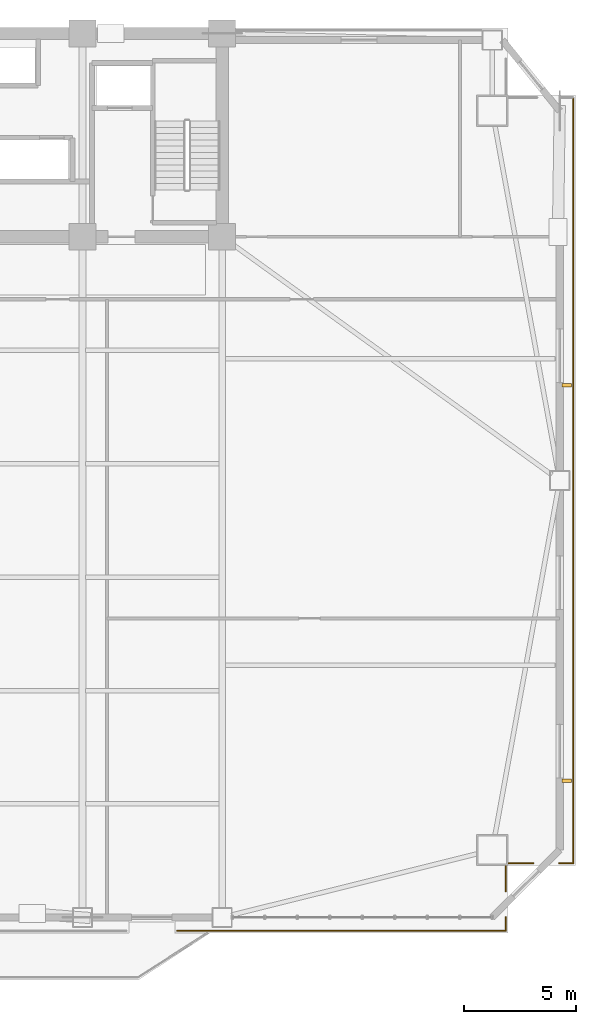
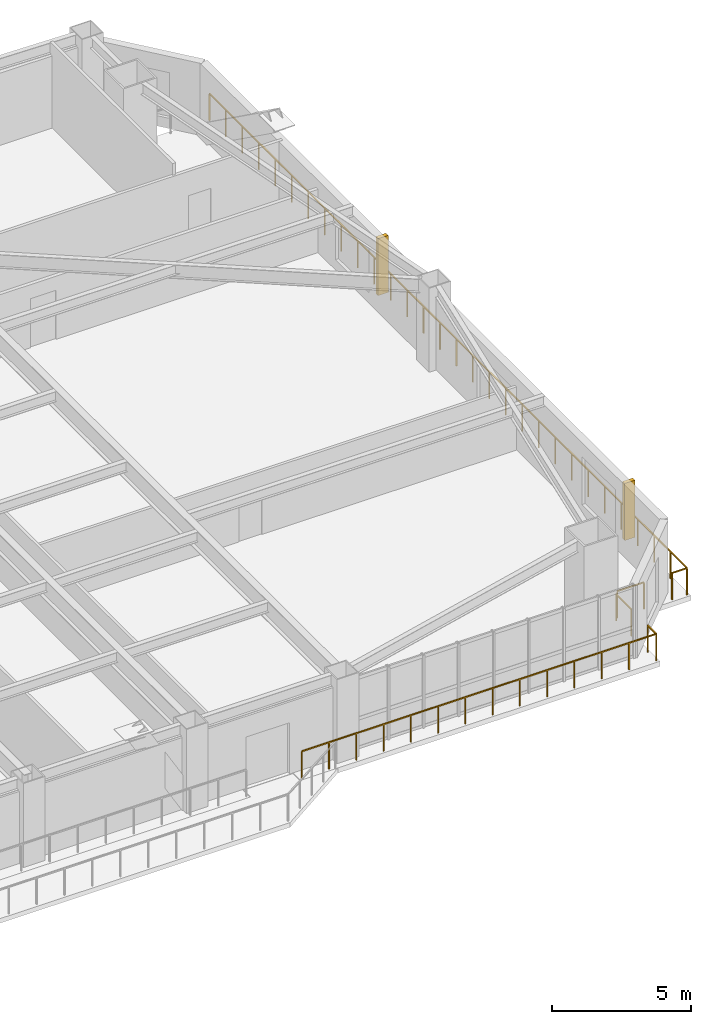
# One storey, part 13 of 15: 6 railings, 2 shading devices.
"""IFC4 building model written with IfcOpenShell, lengths in metres."""

from ifc_helpers import new_model, si_unit, direction, frame, origin, origin_2d, place, context, subcontext, project, spatial, rectangle, extrude, source, transform, mapped, material, type_object, element, save


model = new_model("IFC4")

# Units and contexts
model_context = context("Model", 3, precision=1e-05, world=origin(), true_north=direction((0.0, 1.0)))
body_context = subcontext(model_context, "Body", "Model", "MODEL_VIEW")
ifc_project = project(units=[si_unit("LENGTHUNIT", "METRE"), si_unit("AREAUNIT", "SQUARE_METRE"), si_unit("VOLUMEUNIT", "CUBIC_METRE"), si_unit("PLANEANGLEUNIT", "RADIAN"), si_unit("MASSUNIT", "GRAM", prefix="KILO")], contexts=[model_context])

# Site, building, storey
site_placement = place(None, origin())
site = spatial("IfcSite", under=ifc_project, at=site_placement, CompositionType="ELEMENT")
building_placement = place(site_placement, origin())
building = spatial("IfcBuilding", under=site, at=building_placement, Name="Giltprow Tower", CompositionType="ELEMENT")
storey_placement = place(building_placement, frame((0.0, 0.0, 111.39990234375)))
storey = spatial("IfcBuildingStorey", under=building, at=storey_placement, Name="L27", CompositionType="ELEMENT", Elevation=111.39990234375)

# Railings
ifc_material = material(Name="Anodized bronze", Category="metal")
railing_type = type_object("IfcRailingType", Name="RAIL-BALC-GUARD-1200", PredefinedType="BALUSTRADE", material=ifc_material)
railing_1_placement = place(storey_placement, frame((66.256103515625, 43.68310546875, 0.0)))
element("IfcRailing", 1, at=railing_1_placement, inside=storey, type_object=railing_type, Name="L27 Corner Apron Edge Balustrade 14", PredefinedType="BALUSTRADE", context=body_context, shape_type="SweptSolid", body=[
    extrude(rectangle(XDim=0.048095703125, YDim=0.048095703125, at=origin_2d()), frame((0.0, 0.0, 1.17578125), z_axis=(0.0, -1.0, 0.0), x_axis=(1.0, 0.0, 0.0)), (0.0, 0.0, 1.0), 34.276123046875),
    extrude(rectangle(XDim=0.0419921875, YDim=0.0419921875, at=origin_2d()), origin(), (0.0, 0.0, 1.0), 1.15185546875),
    extrude(rectangle(XDim=0.0419921875, YDim=0.0419921875, at=origin_2d()), frame((0.0, -1.181884765625, 0.0)), (0.0, 0.0, 1.0), 1.15185546875),
    extrude(rectangle(XDim=0.0419921875, YDim=0.0419921875, at=origin_2d()), frame((0.0, -2.36376953125, 0.0)), (0.0, 0.0, 1.0), 1.15185546875),
    extrude(rectangle(XDim=0.0419921875, YDim=0.0419921875, at=origin_2d()), frame((0.0, -3.5458984375, 0.0)), (0.0, 0.0, 1.0), 1.15185546875),
    extrude(rectangle(XDim=0.0419921875, YDim=0.0419921875, at=origin_2d()), frame((0.0, -4.727783203125, 0.0)), (0.0, 0.0, 1.0), 1.15185546875),
    extrude(rectangle(XDim=0.0419921875, YDim=0.0419921875, at=origin_2d()), frame((0.0, -5.90966796875, 0.0)), (0.0, 0.0, 1.0), 1.15185546875),
    extrude(rectangle(XDim=0.0419921875, YDim=0.0419921875, at=origin_2d()), frame((0.0, -7.091552734375, 0.0)), (0.0, 0.0, 1.0), 1.15185546875),
    extrude(rectangle(XDim=0.0419921875, YDim=0.0419921875, at=origin_2d()), frame((0.0, -8.2734375, 0.0)), (0.0, 0.0, 1.0), 1.15185546875),
    extrude(rectangle(XDim=0.0419921875, YDim=0.0419921875, at=origin_2d()), frame((0.0, -9.45556640625, 0.0)), (0.0, 0.0, 1.0), 1.15185546875),
    extrude(rectangle(XDim=0.0419921875, YDim=0.0419921875, at=origin_2d()), frame((0.0, -10.637451171875, 0.0)), (0.0, 0.0, 1.0), 1.15185546875),
    extrude(rectangle(XDim=0.0419921875, YDim=0.0419921875, at=origin_2d()), frame((0.0, -11.8193359375, 0.0)), (0.0, 0.0, 1.0), 1.15185546875),
    extrude(rectangle(XDim=0.0419921875, YDim=0.0419921875, at=origin_2d()), frame((0.0, -13.001220703125, 0.0)), (0.0, 0.0, 1.0), 1.15185546875),
    extrude(rectangle(XDim=0.0419921875, YDim=0.0419921875, at=origin_2d()), frame((0.0, -14.18310546875, 0.0)), (0.0, 0.0, 1.0), 1.15185546875),
    extrude(rectangle(XDim=0.0419921875, YDim=0.0419921875, at=origin_2d()), frame((0.0, -15.365234375, 0.0)), (0.0, 0.0, 1.0), 1.15185546875),
    extrude(rectangle(XDim=0.0419921875, YDim=0.0419921875, at=origin_2d()), frame((0.0, -16.547119140625, 0.0)), (0.0, 0.0, 1.0), 1.15185546875),
    extrude(rectangle(XDim=0.0419921875, YDim=0.0419921875, at=origin_2d()), frame((0.0, -17.72900390625, 0.0)), (0.0, 0.0, 1.0), 1.15185546875),
    extrude(rectangle(XDim=0.0419921875, YDim=0.0419921875, at=origin_2d()), frame((0.0, -18.910888671875, 0.0)), (0.0, 0.0, 1.0), 1.15185546875),
    extrude(rectangle(XDim=0.0419921875, YDim=0.0419921875, at=origin_2d()), frame((0.0, -20.093017578125, 0.0)), (0.0, 0.0, 1.0), 1.15185546875),
    extrude(rectangle(XDim=0.0419921875, YDim=0.0419921875, at=origin_2d()), frame((0.0, -21.27490234375, 0.0)), (0.0, 0.0, 1.0), 1.15185546875),
    extrude(rectangle(XDim=0.0419921875, YDim=0.0419921875, at=origin_2d()), frame((0.0, -22.456787109375, 0.0)), (0.0, 0.0, 1.0), 1.15185546875),
    extrude(rectangle(XDim=0.0419921875, YDim=0.0419921875, at=origin_2d()), frame((0.0, -23.638671875, 0.0)), (0.0, 0.0, 1.0), 1.15185546875),
    extrude(rectangle(XDim=0.0419921875, YDim=0.0419921875, at=origin_2d()), frame((0.0, -24.820556640625, 0.0)), (0.0, 0.0, 1.0), 1.15185546875),
    extrude(rectangle(XDim=0.0419921875, YDim=0.0419921875, at=origin_2d()), frame((0.0, -26.002685546875, 0.0)), (0.0, 0.0, 1.0), 1.15185546875),
    extrude(rectangle(XDim=0.0419921875, YDim=0.0419921875, at=origin_2d()), frame((0.0, -27.1845703125, 0.0)), (0.0, 0.0, 1.0), 1.15185546875),
    extrude(rectangle(XDim=0.0419921875, YDim=0.0419921875, at=origin_2d()), frame((0.0, -28.366455078125, 0.0)), (0.0, 0.0, 1.0), 1.15185546875),
    extrude(rectangle(XDim=0.0419921875, YDim=0.0419921875, at=origin_2d()), frame((0.0, -29.54833984375, 0.0)), (0.0, 0.0, 1.0), 1.15185546875),
    extrude(rectangle(XDim=0.0419921875, YDim=0.0419921875, at=origin_2d()), frame((0.0, -30.730224609375, 0.0)), (0.0, 0.0, 1.0), 1.15185546875),
    extrude(rectangle(XDim=0.0419921875, YDim=0.0419921875, at=origin_2d()), frame((0.0, -31.912353515625, 0.0)), (0.0, 0.0, 1.0), 1.15185546875),
    extrude(rectangle(XDim=0.0419921875, YDim=0.0419921875, at=origin_2d()), frame((0.0, -33.09423828125, 0.0)), (0.0, 0.0, 1.0), 1.15185546875),
    extrude(rectangle(XDim=0.0419921875, YDim=0.0419921875, at=origin_2d()), frame((0.0, -34.276123046875, 0.0)), (0.0, 0.0, 1.0), 1.15185546875),
])
railing_2_placement = place(storey_placement, frame((66.256103515625, 9.406982421875, 0.0)))
element("IfcRailing", 2, at=railing_2_placement, inside=storey, type_object=railing_type, Name="L27 Corner Apron Edge Balustrade 15", PredefinedType="BALUSTRADE", context=body_context, shape_type="SweptSolid", body=[
    extrude(rectangle(XDim=0.048095703125, YDim=0.048095703125, at=origin_2d()), frame((0.0, 0.0, 1.17578125), z_axis=(-1.0, 0.0, 0.0), x_axis=(0.0, -1.0, 0.0)), (0.0, 0.0, 1.0), 0.6201171875),
    extrude(rectangle(XDim=0.0419921875, YDim=0.0419921875, at=origin_2d()), origin(), (0.0, 0.0, 1.0), 1.15185546875),
    extrude(rectangle(XDim=0.0419921875, YDim=0.0419921875, at=origin_2d()), frame((-0.6201171875, 0.0, 0.0)), (0.0, 0.0, 1.0), 1.15185546875),
])
railing_3_placement = place(storey_placement, frame((64.47607421875, 9.406982421875, 0.0)))
element("IfcRailing", 3, at=railing_3_placement, inside=storey, type_object=railing_type, Name="L27 Corner Apron Edge Balustrade 16", PredefinedType="BALUSTRADE", context=body_context, shape_type="SweptSolid", body=[
    extrude(rectangle(XDim=0.048095703125, YDim=0.048095703125, at=origin_2d()), frame((0.0, 0.0, 1.17578125), z_axis=(-1.0, 0.0, 0.0), x_axis=(0.0, -1.0, 0.0)), (0.0, 0.0, 1.0), 1.10205078125),
    extrude(rectangle(XDim=0.0419921875, YDim=0.0419921875, at=origin_2d()), origin(), (0.0, 0.0, 1.0), 1.15185546875),
    extrude(rectangle(XDim=0.0419921875, YDim=0.0419921875, at=origin_2d()), frame((-1.10205078125, 0.0, 0.0)), (0.0, 0.0, 1.0), 1.15185546875),
])
railing_4_placement = place(storey_placement, frame((63.239013671875, 9.27197265625, 0.0)))
element("IfcRailing", 4, at=railing_4_placement, inside=storey, type_object=railing_type, Name="L27 Corner Apron Edge Balustrade 17", PredefinedType="BALUSTRADE", context=body_context, shape_type="SweptSolid", body=[
    extrude(rectangle(XDim=0.048095703125, YDim=0.048095703125, at=origin_2d()), frame((0.0, 0.0, 1.17578125), z_axis=(0.0, -1.0, 0.0), x_axis=(1.0, 0.0, 0.0)), (0.0, 0.0, 1.0), 1.10205078125),
    extrude(rectangle(XDim=0.0419921875, YDim=0.0419921875, at=origin_2d()), origin(), (0.0, 0.0, 1.0), 1.15185546875),
    extrude(rectangle(XDim=0.0419921875, YDim=0.0419921875, at=origin_2d()), frame((0.0, -1.10205078125, 0.0)), (0.0, 0.0, 1.0), 1.15185546875),
])
railing_5_placement = place(storey_placement, frame((63.239013671875, 7.010009765625, 0.0)))
element("IfcRailing", 5, at=railing_5_placement, inside=storey, type_object=railing_type, Name="L27 Corner Apron Edge Balustrade 18", PredefinedType="BALUSTRADE", context=body_context, shape_type="SweptSolid", body=[
    extrude(rectangle(XDim=0.048095703125, YDim=0.048095703125, at=origin_2d()), frame((0.0, 0.0, 1.17578125), z_axis=(0.0, -1.0, 0.0), x_axis=(1.0, 0.0, 0.0)), (0.0, 0.0, 1.0), 0.6201171875),
    extrude(rectangle(XDim=0.0419921875, YDim=0.0419921875, at=origin_2d()), origin(), (0.0, 0.0, 1.0), 1.15185546875),
    extrude(rectangle(XDim=0.0419921875, YDim=0.0419921875, at=origin_2d()), frame((0.0, -0.6201171875, 0.0)), (0.0, 0.0, 1.0), 1.15185546875),
])
railing_6_placement = place(storey_placement, frame((63.239013671875, 6.389892578125, 0.0)))
element("IfcRailing", 6, at=railing_6_placement, inside=storey, type_object=railing_type, Name="L27 Corner Apron Edge Balustrade 19", PredefinedType="BALUSTRADE", context=body_context, shape_type="SweptSolid", body=[
    extrude(rectangle(XDim=0.048095703125, YDim=0.048095703125, at=origin_2d()), frame((0.0, 0.0, 1.17578125), z_axis=(-1.0, 0.0, 0.0), x_axis=(0.0, -1.0, 0.0)), (0.0, 0.0, 1.0), 14.68896484375),
    extrude(rectangle(XDim=0.0419921875, YDim=0.0419921875, at=origin_2d()), origin(), (0.0, 0.0, 1.0), 1.15185546875),
    extrude(rectangle(XDim=0.0419921875, YDim=0.0419921875, at=origin_2d()), frame((-1.1298828125, 0.0, 0.0)), (0.0, 0.0, 1.0), 1.15185546875),
    extrude(rectangle(XDim=0.0419921875, YDim=0.0419921875, at=origin_2d()), frame((-2.259765625, 0.0, 0.0)), (0.0, 0.0, 1.0), 1.15185546875),
    extrude(rectangle(XDim=0.0419921875, YDim=0.0419921875, at=origin_2d()), frame((-3.3896484375, 0.0, 0.0)), (0.0, 0.0, 1.0), 1.15185546875),
    extrude(rectangle(XDim=0.0419921875, YDim=0.0419921875, at=origin_2d()), frame((-4.519775390625, 0.0, 0.0)), (0.0, 0.0, 1.0), 1.15185546875),
    extrude(rectangle(XDim=0.0419921875, YDim=0.0419921875, at=origin_2d()), frame((-5.649658203125, 0.0, 0.0)), (0.0, 0.0, 1.0), 1.15185546875),
    extrude(rectangle(XDim=0.0419921875, YDim=0.0419921875, at=origin_2d()), frame((-6.779541015625, 0.0, 0.0)), (0.0, 0.0, 1.0), 1.15185546875),
    extrude(rectangle(XDim=0.0419921875, YDim=0.0419921875, at=origin_2d()), frame((-7.909423828125, 0.0, 0.0)), (0.0, 0.0, 1.0), 1.15185546875),
    extrude(rectangle(XDim=0.0419921875, YDim=0.0419921875, at=origin_2d()), frame((-9.039306640625, 0.0, 0.0)), (0.0, 0.0, 1.0), 1.15185546875),
    extrude(rectangle(XDim=0.0419921875, YDim=0.0419921875, at=origin_2d()), frame((-10.169189453125, 0.0, 0.0)), (0.0, 0.0, 1.0), 1.15185546875),
    extrude(rectangle(XDim=0.0419921875, YDim=0.0419921875, at=origin_2d()), frame((-11.29931640625, 0.0, 0.0)), (0.0, 0.0, 1.0), 1.15185546875),
    extrude(rectangle(XDim=0.0419921875, YDim=0.0419921875, at=origin_2d()), frame((-12.42919921875, 0.0, 0.0)), (0.0, 0.0, 1.0), 1.15185546875),
    extrude(rectangle(XDim=0.0419921875, YDim=0.0419921875, at=origin_2d()), frame((-13.55908203125, 0.0, 0.0)), (0.0, 0.0, 1.0), 1.15185546875),
    extrude(rectangle(XDim=0.0419921875, YDim=0.0419921875, at=origin_2d()), frame((-14.68896484375, 0.0, 0.0)), (0.0, 0.0, 1.0), 1.15185546875),
])

# Shading devices
shading_device_type = type_object("IfcShadingDeviceType", Name="SHD-FIN-420", PredefinedType="USERDEFINED", material=ifc_material)
shared_shape = source(origin(), body_context, "Body", "SweptSolid", [
    extrude(rectangle(XDim=0.419921875, YDim=0.159912109375, at=origin_2d()), origin(), (0.0, 0.0, 1.0), 2.5),
])
for number, where, z_axis, x_axis, name in (
    (7, (65.97607421875, 13.110107421875, 0.35009765625), (0.0, 0.0, 1.0), (1.0, 0.0, 0.0), "L27 E Bronze Vertical Fin 1-1"),
    (8, (65.97607421875, 30.805908203125, 0.35009765625), (0.0, 0.0, 1.0), (1.0, 0.0, 0.0), "L27 E Bronze Vertical Fin 2-1"),
):
    element("IfcShadingDevice", number, at=place(storey_placement, frame(where, z_axis=z_axis, x_axis=x_axis)), inside=storey, type_object=shading_device_type, Name=name, ObjectType="FIN", PredefinedType="USERDEFINED", context=body_context, shape_type="MappedRepresentation", body=[
        mapped(shared_shape, transform((0.0, 0.0, 0.0), x_axis=(1.0, 0.0, 0.0), y_axis=(0.0, 1.0, 0.0), z_axis=(0.0, 0.0, 1.0), scale=1.0)),
    ])

save(model, "model.ifc")
